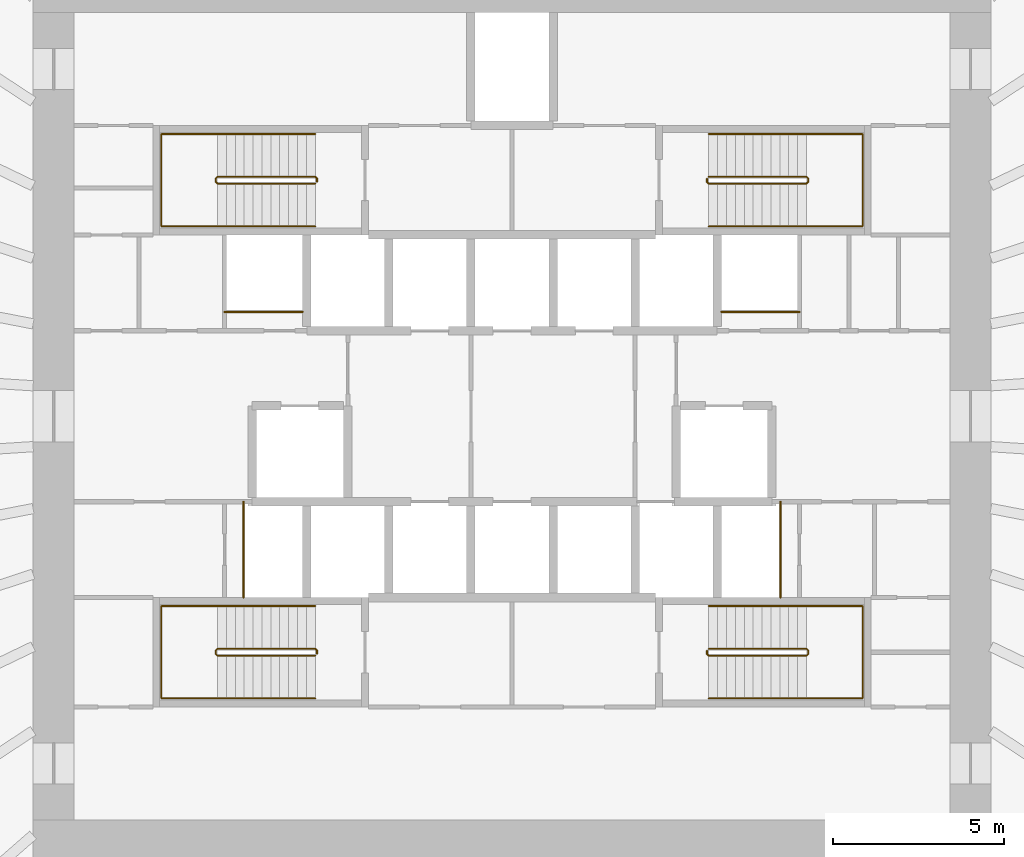
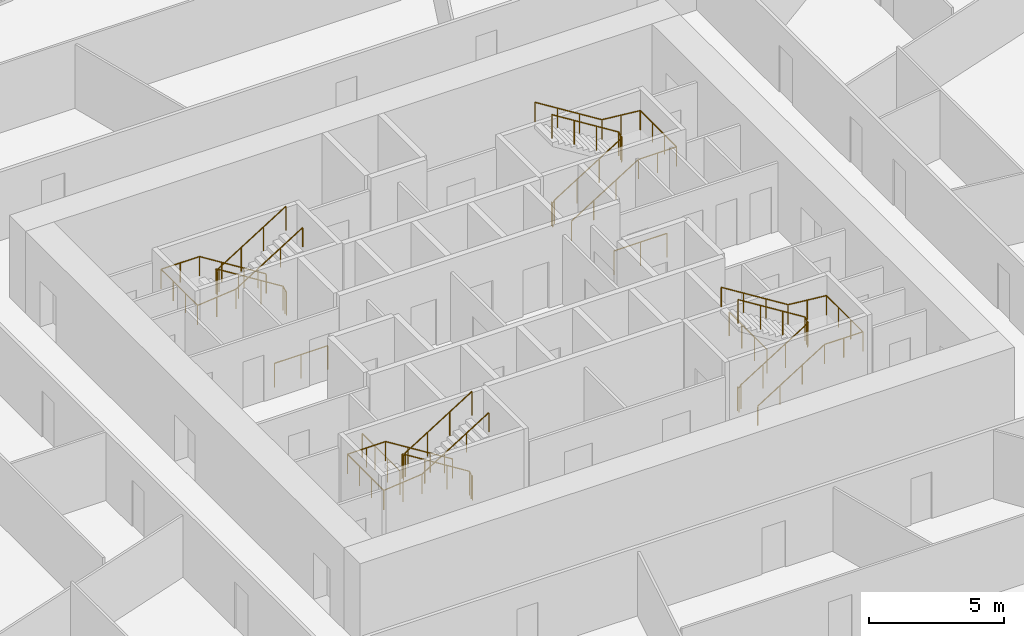
# One storey, part 12 of 12: 12 railings.
"""IFC4 building model written with IfcOpenShell, lengths in metres."""

from ifc_helpers import new_model, si_unit, direction, frame, origin, origin_2d, place, context, subcontext, project, spatial, circle, extrude, source, transform, mapped, material, type_object, element, save


model = new_model("IFC4")

# Units and contexts
model_context = context("Model", 3, precision=1e-05, world=origin(), true_north=direction((0.0, 1.0)))
body_context = subcontext(model_context, "Body", "Model", "MODEL_VIEW")
ifc_project = project(units=[si_unit("LENGTHUNIT", "METRE"), si_unit("AREAUNIT", "SQUARE_METRE"), si_unit("VOLUMEUNIT", "CUBIC_METRE"), si_unit("PLANEANGLEUNIT", "RADIAN"), si_unit("MASSUNIT", "GRAM", prefix="KILO")], contexts=[model_context])

# Site, building, storey
site_placement = place(None, origin())
site = spatial("IfcSite", under=ifc_project, at=site_placement, CompositionType="ELEMENT")
building_placement = place(site_placement, origin())
building = spatial("IfcBuilding", under=site, at=building_placement, Name="Embergate Tower", CompositionType="ELEMENT")
storey_placement = place(building_placement, frame((0.0, 0.0, 45.800048828125)))
storey = spatial("IfcBuildingStorey", under=building, at=storey_placement, Name="L07", CompositionType="ELEMENT", Elevation=45.800048828125)

# Railings
ifc_material_1 = material(Name="Stair guard 1100")
railing_type_1 = type_object("IfcRailingType", Name="Stair guard 1100", PredefinedType="GUARDRAIL", material=ifc_material_1)
shared_shape_1 = source(origin(), body_context, "Body", "SweptSolid", [
    extrude(circle(Radius=0.02392578125, at=origin_2d()), frame((0.0, 0.0, 1.076171875), z_axis=(0.0, 1.0, 0.0), x_axis=(-1.0, 0.0, 0.0)), (0.0, 0.0, 1.0), 0.099853515625),
    extrude(circle(Radius=0.02392578125, at=origin_2d()), frame((0.0, 0.099853515625, 1.076171875), z_axis=(-0.282583949758, 0.282583949758, 0.916674763849), x_axis=(-0.707106781187, -0.707106781187, 0.0)), (0.0, 0.0, 1.0), 0.177001953125),
    extrude(circle(Radius=0.02392578125, at=origin_2d()), frame((-0.050048828125, 0.14990234375, 1.23828125), z_axis=(-0.847994237388, 0.0, 0.530005446535), x_axis=(0.0, -1.0, 0.0)), (0.0, 0.0, 1.0), 3.372802734375),
    extrude(circle(Radius=0.02392578125, at=origin_2d()), frame((-2.91015625, 0.14990234375, 3.02587890625), z_axis=(-0.705375805398, -0.708833529934, 0.0), x_axis=(0.708833529934, -0.705375805398, 0.0)), (0.0, 0.0, 1.0), 0.070556640625),
    extrude(circle(Radius=0.02392578125, at=origin_2d()), frame((-2.9599609375, 0.099853515625, 3.02587890625), z_axis=(0.0, -1.0, 0.0), x_axis=(1.0, 0.0, 0.0)), (0.0, 0.0, 1.0), 0.099853515625),
    extrude(circle(Radius=0.02392578125, at=origin_2d()), frame((-2.9599609375, 0.0, 3.02587890625), z_axis=(0.280959487676, -0.282336740067, 0.917250092119), x_axis=(0.708833529934, 0.705375805398, 0.0)), (0.0, 0.0, 1.0), 0.17724609375),
    extrude(circle(Radius=0.02392578125, at=origin_2d()), frame((-2.91015625, -0.050048828125, 3.1884765625), z_axis=(0.848026770018, 0.0, 0.529953391661), x_axis=(0.0, 1.0, 0.0)), (0.0, 0.0, 1.0), 3.37255859375),
    extrude(circle(Radius=0.02099609375, at=origin_2d()), origin(), (0.0, 0.0, 1.0), 1.052001953125),
    extrude(circle(Radius=0.02099609375, at=origin_2d()), frame((0.0, 0.099853515625, 0.0)), (0.0, 0.0, 1.0), 1.052001953125),
    extrude(circle(Radius=0.02099609375, at=origin_2d()), frame((-0.050048828125, 0.14990234375, 0.162353515625)), (0.0, 0.0, 1.0), 1.052001953125),
    extrude(circle(Radius=0.02099609375, at=origin_2d()), frame((-1.00341796875, 0.14990234375, 0.75830078125)), (0.0, 0.0, 1.0), 1.052001953125),
    extrude(circle(Radius=0.02099609375, at=origin_2d()), frame((-1.956787109375, 0.14990234375, 1.35400390625)), (0.0, 0.0, 1.0), 1.052001953125),
    extrude(circle(Radius=0.02099609375, at=origin_2d()), frame((-2.91015625, 0.14990234375, 1.949951171875)), (0.0, 0.0, 1.0), 1.052001953125),
    extrude(circle(Radius=0.02099609375, at=origin_2d()), frame((-2.9599609375, 0.099853515625, 1.949951171875)), (0.0, 0.0, 1.0), 1.052001953125),
    extrude(circle(Radius=0.02099609375, at=origin_2d()), frame((-2.9599609375, 0.0, 1.949951171875)), (0.0, 0.0, 1.0), 1.052001953125),
    extrude(circle(Radius=0.02099609375, at=origin_2d()), frame((-2.91015625, -0.050048828125, 2.112548828125)), (0.0, 0.0, 1.0), 1.052001953125),
    extrude(circle(Radius=0.02099609375, at=origin_2d()), frame((-1.956787109375, -0.050048828125, 2.708251953125)), (0.0, 0.0, 1.0), 1.052001953125),
    extrude(circle(Radius=0.02099609375, at=origin_2d()), frame((-1.00341796875, -0.050048828125, 3.30419921875)), (0.0, 0.0, 1.0), 1.052001953125),
    extrude(circle(Radius=0.02099609375, at=origin_2d()), frame((-0.050048828125, -0.050048828125, 3.89990234375)), (0.0, 0.0, 1.0), 1.052001953125),
])
for number, where, name in (
    (1, (-5.699951171875, 6.85009765625, 0.0), "L07 ST1 stair guard 1"),
    (2, (-5.699951171875, -6.949951171875, 0.0), "L07 ST3 stair guard 1"),
):
    element("IfcRailing", number, at=place(storey_placement, frame(where)), inside=storey, type_object=railing_type_1, Name=name, PredefinedType="GUARDRAIL", context=body_context, shape_type="MappedRepresentation", body=[
        mapped(shared_shape_1, transform((0.0, 0.0, 0.0))),
    ])
ifc_material_2 = material(Name="Stair handrail 900")
railing_type_2 = type_object("IfcRailingType", Name="Stair handrail 900", PredefinedType="HANDRAIL", material=ifc_material_2)
shared_shape_2 = source(origin(), body_context, "Body", "SweptSolid", [
    extrude(circle(Radius=0.02392578125, at=origin_2d()), frame((0.0, 0.0, 0.8759765625), z_axis=(-0.847994237388, 0.0, 0.530005446535), x_axis=(0.0, -1.0, 0.0)), (0.0, 0.0, 1.0), 3.372802734375),
    extrude(circle(Radius=0.02392578125, at=origin_2d()), frame((-2.860107421875, 0.0, 2.66357421875), z_axis=(-1.0, 0.0, 0.0), x_axis=(0.0, -1.0, 0.0)), (0.0, 0.0, 1.0), 1.639892578125),
    extrude(circle(Radius=0.02392578125, at=origin_2d()), frame((-4.5, 0.0, 2.66357421875), z_axis=(0.0, -1.0, 0.0), x_axis=(1.0, 0.0, 0.0)), (0.0, 0.0, 1.0), 2.699951171875),
    extrude(circle(Radius=0.02392578125, at=origin_2d()), frame((-4.5, -2.699951171875, 2.66357421875), z_axis=(0.995120448088, 0.0, 0.098667592441), x_axis=(0.0, 1.0, 0.0)), (0.0, 0.0, 1.0), 1.64794921875),
    extrude(circle(Radius=0.02392578125, at=origin_2d()), frame((-2.860107421875, -2.699951171875, 2.826171875), z_axis=(0.848026770018, 0.0, 0.529953391661), x_axis=(0.0, 1.0, 0.0)), (0.0, 0.0, 1.0), 3.37255859375),
    extrude(circle(Radius=0.02099609375, at=origin_2d()), origin(), (0.0, 0.0, 1.0), 0.851806640625),
    extrude(circle(Radius=0.02099609375, at=origin_2d()), frame((-0.953369140625, 0.0, 0.595947265625)), (0.0, 0.0, 1.0), 0.851806640625),
    extrude(circle(Radius=0.02099609375, at=origin_2d()), frame((-1.90673828125, 0.0, 1.191650390625)), (0.0, 0.0, 1.0), 0.851806640625),
    extrude(circle(Radius=0.02099609375, at=origin_2d()), frame((-2.860107421875, 0.0, 1.78759765625)), (0.0, 0.0, 1.0), 0.851806640625),
    extrude(circle(Radius=0.02099609375, at=origin_2d()), frame((-3.68017578125, 0.0, 1.78759765625)), (0.0, 0.0, 1.0), 0.851806640625),
    extrude(circle(Radius=0.02099609375, at=origin_2d()), frame((-4.5, 0.0, 1.78759765625)), (0.0, 0.0, 1.0), 0.851806640625),
    extrude(circle(Radius=0.02099609375, at=origin_2d()), frame((-4.5, -0.89990234375, 1.78759765625)), (0.0, 0.0, 1.0), 0.851806640625),
    extrude(circle(Radius=0.02099609375, at=origin_2d()), frame((-4.5, -1.800048828125, 1.78759765625)), (0.0, 0.0, 1.0), 0.851806640625),
    extrude(circle(Radius=0.02099609375, at=origin_2d()), frame((-4.5, -2.699951171875, 1.78759765625)), (0.0, 0.0, 1.0), 0.851806640625),
    extrude(circle(Radius=0.02099609375, at=origin_2d()), frame((-3.68017578125, -2.699951171875, 1.868896484375)), (0.0, 0.0, 1.0), 0.851806640625),
    extrude(circle(Radius=0.02099609375, at=origin_2d()), frame((-2.860107421875, -2.699951171875, 1.9501953125)), (0.0, 0.0, 1.0), 0.851806640625),
    extrude(circle(Radius=0.02099609375, at=origin_2d()), frame((-1.90673828125, -2.699951171875, 2.5458984375)), (0.0, 0.0, 1.0), 0.851806640625),
    extrude(circle(Radius=0.02099609375, at=origin_2d()), frame((-0.953369140625, -2.699951171875, 3.141845703125)), (0.0, 0.0, 1.0), 0.851806640625),
    extrude(circle(Radius=0.02099609375, at=origin_2d()), frame((0.0, -2.699951171875, 3.737548828125)), (0.0, 0.0, 1.0), 0.851806640625),
])
for number, where, name in (
    (3, (-5.75, 8.25, 0.162353515625), "L07 ST1 stair handrail 1"),
    (4, (-5.75, -5.550048828125, 0.162353515625), "L07 ST3 stair handrail 1"),
):
    element("IfcRailing", number, at=place(storey_placement, frame(where)), inside=storey, type_object=railing_type_2, Name=name, PredefinedType="HANDRAIL", context=body_context, shape_type="MappedRepresentation", body=[
        mapped(shared_shape_2, transform((0.0, 0.0, 0.0))),
    ])
shared_shape_3 = source(origin(), body_context, "Body", "SweptSolid", [
    extrude(circle(Radius=0.02392578125, at=origin_2d()), frame((0.0, 0.0, 1.076171875), z_axis=(0.0, -1.0, 0.0), x_axis=(1.0, 0.0, 0.0)), (0.0, 0.0, 1.0), 0.099853515625),
    extrude(circle(Radius=0.02392578125, at=origin_2d()), frame((0.0, -0.099853515625, 1.076171875), z_axis=(0.282583949758, -0.282583949758, 0.916674763849), x_axis=(0.707106781187, 0.707106781187, 0.0)), (0.0, 0.0, 1.0), 0.177001953125),
    extrude(circle(Radius=0.02392578125, at=origin_2d()), frame((0.050048828125, -0.14990234375, 1.23828125), z_axis=(0.847994237388, 0.0, 0.530005446535), x_axis=(0.0, 1.0, 0.0)), (0.0, 0.0, 1.0), 3.372802734375),
    extrude(circle(Radius=0.02392578125, at=origin_2d()), frame((2.91015625, -0.14990234375, 3.02587890625), z_axis=(0.705375805398, 0.708833529934, 0.0), x_axis=(-0.708833529934, 0.705375805398, 0.0)), (0.0, 0.0, 1.0), 0.070556640625),
    extrude(circle(Radius=0.02392578125, at=origin_2d()), frame((2.9599609375, -0.099853515625, 3.02587890625), z_axis=(0.0, 1.0, 0.0), x_axis=(-1.0, 0.0, 0.0)), (0.0, 0.0, 1.0), 0.099853515625),
    extrude(circle(Radius=0.02392578125, at=origin_2d()), frame((2.9599609375, 0.0, 3.02587890625), z_axis=(-0.280959487676, 0.282336740067, 0.917250092119), x_axis=(-0.708833529934, -0.705375805398, 0.0)), (0.0, 0.0, 1.0), 0.17724609375),
    extrude(circle(Radius=0.02392578125, at=origin_2d()), frame((2.91015625, 0.050048828125, 3.1884765625), z_axis=(-0.848026770018, 0.0, 0.529953391661), x_axis=(0.0, -1.0, 0.0)), (0.0, 0.0, 1.0), 3.37255859375),
    extrude(circle(Radius=0.02099609375, at=origin_2d()), origin(), (0.0, 0.0, 1.0), 1.052001953125),
    extrude(circle(Radius=0.02099609375, at=origin_2d()), frame((0.0, -0.099853515625, 0.0)), (0.0, 0.0, 1.0), 1.052001953125),
    extrude(circle(Radius=0.02099609375, at=origin_2d()), frame((0.050048828125, -0.14990234375, 0.162353515625)), (0.0, 0.0, 1.0), 1.052001953125),
    extrude(circle(Radius=0.02099609375, at=origin_2d()), frame((1.00341796875, -0.14990234375, 0.75830078125)), (0.0, 0.0, 1.0), 1.052001953125),
    extrude(circle(Radius=0.02099609375, at=origin_2d()), frame((1.956787109375, -0.14990234375, 1.35400390625)), (0.0, 0.0, 1.0), 1.052001953125),
    extrude(circle(Radius=0.02099609375, at=origin_2d()), frame((2.91015625, -0.14990234375, 1.949951171875)), (0.0, 0.0, 1.0), 1.052001953125),
    extrude(circle(Radius=0.02099609375, at=origin_2d()), frame((2.9599609375, -0.099853515625, 1.949951171875)), (0.0, 0.0, 1.0), 1.052001953125),
    extrude(circle(Radius=0.02099609375, at=origin_2d()), frame((2.9599609375, 0.0, 1.949951171875)), (0.0, 0.0, 1.0), 1.052001953125),
    extrude(circle(Radius=0.02099609375, at=origin_2d()), frame((2.91015625, 0.050048828125, 2.112548828125)), (0.0, 0.0, 1.0), 1.052001953125),
    extrude(circle(Radius=0.02099609375, at=origin_2d()), frame((1.956787109375, 0.050048828125, 2.708251953125)), (0.0, 0.0, 1.0), 1.052001953125),
    extrude(circle(Radius=0.02099609375, at=origin_2d()), frame((1.00341796875, 0.050048828125, 3.30419921875)), (0.0, 0.0, 1.0), 1.052001953125),
    extrude(circle(Radius=0.02099609375, at=origin_2d()), frame((0.050048828125, 0.050048828125, 3.89990234375)), (0.0, 0.0, 1.0), 1.052001953125),
])
for number, where, name in (
    (5, (5.699951171875, 6.949951171875, 0.0), "L07 ST2 stair guard 1"),
    (6, (5.699951171875, -6.85009765625, 0.0), "L07 ST4 stair guard 1"),
):
    element("IfcRailing", number, at=place(storey_placement, frame(where)), inside=storey, type_object=railing_type_1, Name=name, PredefinedType="GUARDRAIL", context=body_context, shape_type="MappedRepresentation", body=[
        mapped(shared_shape_3, transform((0.0, 0.0, 0.0))),
    ])
shared_shape_4 = source(origin(), body_context, "Body", "SweptSolid", [
    extrude(circle(Radius=0.02392578125, at=origin_2d()), frame((0.0, 0.0, 0.8759765625), z_axis=(0.847994237388, 0.0, 0.530005446535), x_axis=(0.0, 1.0, 0.0)), (0.0, 0.0, 1.0), 3.372802734375),
    extrude(circle(Radius=0.02392578125, at=origin_2d()), frame((2.860107421875, 0.0, 2.66357421875), z_axis=(1.0, 0.0, 0.0), x_axis=(0.0, 1.0, 0.0)), (0.0, 0.0, 1.0), 1.639892578125),
    extrude(circle(Radius=0.02392578125, at=origin_2d()), frame((4.5, 0.0, 2.66357421875), z_axis=(0.0, 1.0, 0.0), x_axis=(-1.0, 0.0, 0.0)), (0.0, 0.0, 1.0), 2.699951171875),
    extrude(circle(Radius=0.02392578125, at=origin_2d()), frame((4.5, 2.699951171875, 2.66357421875), z_axis=(-0.995120448088, 0.0, 0.098667592441), x_axis=(0.0, -1.0, 0.0)), (0.0, 0.0, 1.0), 1.64794921875),
    extrude(circle(Radius=0.02392578125, at=origin_2d()), frame((2.860107421875, 2.699951171875, 2.826171875), z_axis=(-0.848026770018, 0.0, 0.529953391661), x_axis=(0.0, -1.0, 0.0)), (0.0, 0.0, 1.0), 3.37255859375),
    extrude(circle(Radius=0.02099609375, at=origin_2d()), origin(), (0.0, 0.0, 1.0), 0.851806640625),
    extrude(circle(Radius=0.02099609375, at=origin_2d()), frame((0.953369140625, 0.0, 0.595947265625)), (0.0, 0.0, 1.0), 0.851806640625),
    extrude(circle(Radius=0.02099609375, at=origin_2d()), frame((1.90673828125, 0.0, 1.191650390625)), (0.0, 0.0, 1.0), 0.851806640625),
    extrude(circle(Radius=0.02099609375, at=origin_2d()), frame((2.860107421875, 0.0, 1.78759765625)), (0.0, 0.0, 1.0), 0.851806640625),
    extrude(circle(Radius=0.02099609375, at=origin_2d()), frame((3.68017578125, 0.0, 1.78759765625)), (0.0, 0.0, 1.0), 0.851806640625),
    extrude(circle(Radius=0.02099609375, at=origin_2d()), frame((4.5, 0.0, 1.78759765625)), (0.0, 0.0, 1.0), 0.851806640625),
    extrude(circle(Radius=0.02099609375, at=origin_2d()), frame((4.5, 0.89990234375, 1.78759765625)), (0.0, 0.0, 1.0), 0.851806640625),
    extrude(circle(Radius=0.02099609375, at=origin_2d()), frame((4.5, 1.800048828125, 1.78759765625)), (0.0, 0.0, 1.0), 0.851806640625),
    extrude(circle(Radius=0.02099609375, at=origin_2d()), frame((4.5, 2.699951171875, 1.78759765625)), (0.0, 0.0, 1.0), 0.851806640625),
    extrude(circle(Radius=0.02099609375, at=origin_2d()), frame((3.68017578125, 2.699951171875, 1.868896484375)), (0.0, 0.0, 1.0), 0.851806640625),
    extrude(circle(Radius=0.02099609375, at=origin_2d()), frame((2.860107421875, 2.699951171875, 1.9501953125)), (0.0, 0.0, 1.0), 0.851806640625),
    extrude(circle(Radius=0.02099609375, at=origin_2d()), frame((1.90673828125, 2.699951171875, 2.5458984375)), (0.0, 0.0, 1.0), 0.851806640625),
    extrude(circle(Radius=0.02099609375, at=origin_2d()), frame((0.953369140625, 2.699951171875, 3.141845703125)), (0.0, 0.0, 1.0), 0.851806640625),
    extrude(circle(Radius=0.02099609375, at=origin_2d()), frame((0.0, 2.699951171875, 3.737548828125)), (0.0, 0.0, 1.0), 0.851806640625),
])
for number, where, name in (
    (7, (5.75, 5.550048828125, 0.162353515625), "L07 ST2 stair handrail 1"),
    (8, (5.75, -8.25, 0.162353515625), "L07 ST4 stair handrail 1"),
):
    element("IfcRailing", number, at=place(storey_placement, frame(where)), inside=storey, type_object=railing_type_2, Name=name, PredefinedType="HANDRAIL", context=body_context, shape_type="MappedRepresentation", body=[
        mapped(shared_shape_4, transform((0.0, 0.0, 0.0))),
    ])
ifc_material_3 = material(Name="Opening guard 1100")
railing_type_3 = type_object("IfcRailingType", Name="Opening guard 1100", PredefinedType="GUARDRAIL", material=ifc_material_3)
shared_shape_5 = source(origin(), body_context, "Body", "SweptSolid", [
    extrude(circle(Radius=0.02392578125, at=origin_2d()), frame((0.0, 0.0, 1.076171875), z_axis=(1.0, 0.0, 0.0), x_axis=(0.0, 1.0, 0.0)), (0.0, 0.0, 1.0), 2.27490234375),
    extrude(circle(Radius=0.02099609375, at=origin_2d()), origin(), (0.0, 0.0, 1.0), 1.052001953125),
    extrude(circle(Radius=0.02099609375, at=origin_2d()), frame((1.137451171875, 0.0, 0.0)), (0.0, 0.0, 1.0), 1.052001953125),
    extrude(circle(Radius=0.02099609375, at=origin_2d()), frame((2.27490234375, 0.0, 0.0)), (0.0, 0.0, 1.0), 1.052001953125),
])
for number, where, name in (
    (9, (-8.39990234375, 3.050048828125, 0.0), "Riser opening guard"),
    (10, (6.125, 3.050048828125, 0.0), "Riser opening guard"),
):
    element("IfcRailing", number, at=place(storey_placement, frame(where)), inside=storey, type_object=railing_type_3, Name=name, PredefinedType="GUARDRAIL", context=body_context, shape_type="MappedRepresentation", body=[
        mapped(shared_shape_5, transform((0.0, 0.0, 0.0))),
    ])
shared_shape_6 = source(origin(), body_context, "Body", "SweptSolid", [
    extrude(circle(Radius=0.02392578125, at=origin_2d()), frame((0.0, 0.0, 1.076171875), z_axis=(0.0, 1.0, 0.0), x_axis=(-1.0, 0.0, 0.0)), (0.0, 0.0, 1.0), 2.800048828125),
    extrude(circle(Radius=0.02099609375, at=origin_2d()), origin(), (0.0, 0.0, 1.0), 1.052001953125),
    extrude(circle(Radius=0.02099609375, at=origin_2d()), frame((0.0, 0.933349609375, 0.0)), (0.0, 0.0, 1.0), 1.052001953125),
    extrude(circle(Radius=0.02099609375, at=origin_2d()), frame((0.0, 1.86669921875, 0.0)), (0.0, 0.0, 1.0), 1.052001953125),
    extrude(circle(Radius=0.02099609375, at=origin_2d()), frame((0.0, 2.800048828125, 0.0)), (0.0, 0.0, 1.0), 1.052001953125),
])
for number, where, name in (
    (11, (-7.85009765625, -5.300048828125, 0.0), "Riser opening guard"),
    (12, (7.85009765625, -5.300048828125, 0.0), "Riser opening guard"),
):
    element("IfcRailing", number, at=place(storey_placement, frame(where)), inside=storey, type_object=railing_type_3, Name=name, PredefinedType="GUARDRAIL", context=body_context, shape_type="MappedRepresentation", body=[
        mapped(shared_shape_6, transform((0.0, 0.0, 0.0))),
    ])

save(model, "model.ifc")
